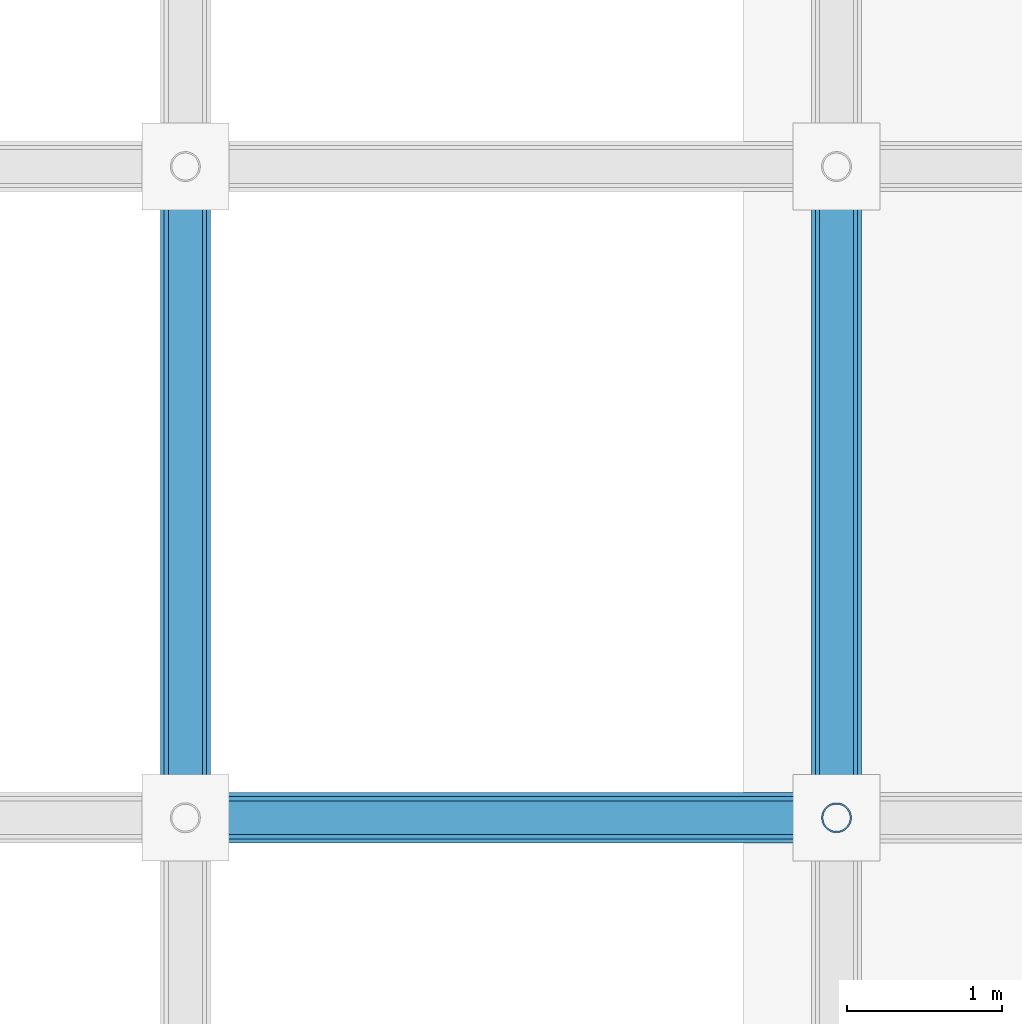
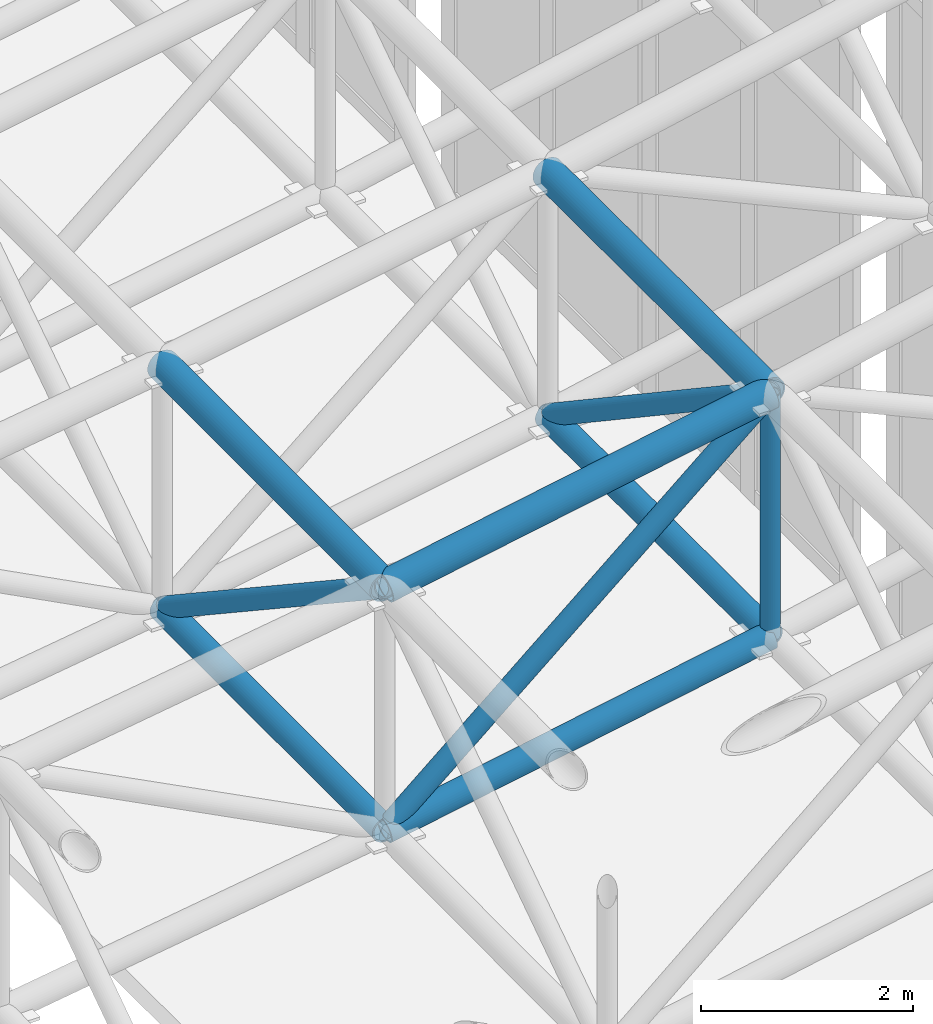
# One storey, part 21 of 93: 10 members.
"""IFC4 building model written with IfcOpenShell, lengths in metres."""

from ifc_helpers import new_model, si_unit, direction, frame, origin, origin_2d, place, context, subcontext, project, spatial, hollow_circle, extrude, material, material_profile, profile_set, type_object, element, save


model = new_model("IFC4")

# Units and contexts
model_context = context("Model", 3, precision=1e-05, world=origin(), true_north=direction((0.0, 1.0)))
body_context = subcontext(model_context, "Body", "Model", "MODEL_VIEW")
ifc_project = project(units=[si_unit("LENGTHUNIT", "METRE"), si_unit("AREAUNIT", "SQUARE_METRE"), si_unit("VOLUMEUNIT", "CUBIC_METRE"), si_unit("PLANEANGLEUNIT", "RADIAN"), si_unit("MASSUNIT", "GRAM", prefix="KILO")], contexts=[model_context])

# Site, building, storey
site_placement = place(None, origin())
site = spatial("IfcSite", under=ifc_project, at=site_placement, CompositionType="ELEMENT")
building_placement = place(site_placement, origin())
building = spatial("IfcBuilding", under=site, at=building_placement, Name="Cumbredor Promenade Congress Hotel", CompositionType="ELEMENT")
storey_placement = place(building_placement, frame((0.0, 0.0, 21.840087890625)))
storey = spatial("IfcBuildingStorey", under=building, at=storey_placement, Name="L06", CompositionType="ELEMENT", Elevation=21.840087890625)

# Members
ifc_material = material(Name="Steel ASTM A500 Grade C", Category="steel")
ifc_material_profile_1 = material_profile(ifc_material, hollow_circle(Radius=0.136474609375, WallThickness=0.01611328125, at=origin_2d()), Name="CHS 273.0x16")
ifc_profile_set_1 = profile_set([ifc_material_profile_1], Name="Steel ASTM A500 Grade C")
member_type_1 = type_object("IfcMemberType", Name="Plenary Roof Space Frame Bottom Chord", PredefinedType="CHORD", material=ifc_profile_set_1)
member_1_placement = place(storey_placement, frame((54.60009765625, 29.39990234375, 9.61669921875), z_axis=(0.983564783684, 0.0, 0.180555576753), x_axis=(0.0, 1.0, 0.0)))
element("IfcMember", 1, at=member_1_placement, inside=storey, type_object=member_type_1, Name="Plenary Congress Hall X Bottom Chord 15.8", PredefinedType="CHORD", context=body_context, shape_type="SweptSolid", body=[
    extrude(hollow_circle(Radius=0.136474609375, WallThickness=0.01611328125, at=origin_2d()), origin(), (0.0, 0.0, 1.0), 4.27001953125),
])
for number, where, z_axis, x_axis, name in (
    (2, (54.60009765625, 29.39990234375, 9.61669921875), (0.0, 0.999993918515, 0.003487539823), (-1.0, 0.0, 0.0), "Plenary Congress Hall Y Bottom Chord 15.8"),
    (3, (58.800048828125, 29.39990234375, 10.3876953125), (0.0, 0.999998160339, -0.001918155039), (-1.0, 0.0, 0.0), "Plenary Congress Hall Y Bottom Chord 16.8"),
):
    element("IfcMember", number, at=place(storey_placement, frame(where, z_axis=z_axis, x_axis=x_axis)), inside=storey, type_object=member_type_1, Name=name, PredefinedType="CHORD", context=body_context, shape_type="SweptSolid", body=[
        extrude(hollow_circle(Radius=0.136474609375, WallThickness=0.01611328125, at=origin_2d()), origin(), (0.0, 0.0, 1.0), 4.2001953125),
    ])
ifc_material_profile_2 = material_profile(ifc_material, hollow_circle(Radius=0.161865234375, WallThickness=0.01611328125, at=origin_2d()), Name="CHS 323.9x16")
ifc_profile_set_2 = profile_set([ifc_material_profile_2], Name="Steel ASTM A500 Grade C")
member_type_2 = type_object("IfcMemberType", Name="Plenary Roof Space Frame Top Chord", PredefinedType="CHORD", material=ifc_profile_set_2)
member_2_placement = place(storey_placement, frame((54.60009765625, 29.39990234375, 12.41650390625), z_axis=(0.983564783684, 0.0, 0.180555576753), x_axis=(0.0, 1.0, 0.0)))
element("IfcMember", 4, at=member_2_placement, inside=storey, type_object=member_type_2, Name="Plenary Congress Hall X Top Chord 15.8", PredefinedType="CHORD", context=body_context, shape_type="SweptSolid", body=[
    extrude(hollow_circle(Radius=0.161865234375, WallThickness=0.01611328125, at=origin_2d()), origin(), (0.0, 0.0, 1.0), 4.27001953125),
])
for number, where, z_axis, x_axis, name in (
    (5, (54.60009765625, 29.39990234375, 12.41650390625), (0.0, 0.999993714111, 0.003545664762), (-1.0, 0.0, 0.0), "Plenary Congress Hall Y Top Chord 15.8"),
    (6, (58.800048828125, 29.39990234375, 13.1875), (0.0, 0.999998270144, -0.001860029333), (-1.0, 0.0, 0.0), "Plenary Congress Hall Y Top Chord 16.8"),
):
    element("IfcMember", number, at=place(storey_placement, frame(where, z_axis=z_axis, x_axis=x_axis)), inside=storey, type_object=member_type_2, Name=name, PredefinedType="CHORD", context=body_context, shape_type="SweptSolid", body=[
        extrude(hollow_circle(Radius=0.161865234375, WallThickness=0.01611328125, at=origin_2d()), origin(), (0.0, 0.0, 1.0), 4.2001953125),
    ])
ifc_material_profile_3 = material_profile(ifc_material, hollow_circle(Radius=0.109619140625, WallThickness=0.012451171875, at=origin_2d()), Name="CHS 219.1x12.5")
ifc_profile_set_3 = profile_set([ifc_material_profile_3], Name="Steel ASTM A500 Grade C")
member_type_3 = type_object("IfcMemberType", Name="Space Frame Web Diagonal D1", PredefinedType="BRACE", material=ifc_profile_set_3)
member_3_placement = place(storey_placement, frame((54.60009765625, 29.39990234375, 9.61669921875), z_axis=(0.761863915954, 0.0, 0.647737117639), x_axis=(0.0, 1.0, 0.0)))
element("IfcMember", 7, at=member_3_placement, inside=storey, type_object=member_type_3, Name="Plenary Congress Hall X Web Diagonal 15.8", PredefinedType="BRACE", context=body_context, shape_type="SweptSolid", body=[
    extrude(hollow_circle(Radius=0.109619140625, WallThickness=0.012451171875, at=origin_2d()), origin(), (0.0, 0.0, 1.0), 5.5126953125),
])
member_4_placement = place(storey_placement, frame((54.60009765625, 29.39990234375, 12.41650390625), z_axis=(0.0, 0.833419070638, -0.552641522776), x_axis=(-1.0, 0.0, 0.0)))
element("IfcMember", 8, at=member_4_placement, inside=storey, type_object=member_type_3, Name="Plenary Congress Hall Y Web Diagonal 15.8", PredefinedType="BRACE", context=body_context, shape_type="SweptSolid", body=[
    extrude(hollow_circle(Radius=0.109619140625, WallThickness=0.012451171875, at=origin_2d()), origin(), (0.0, 0.0, 1.0), 5.039794921875),
])
member_5_placement = place(storey_placement, frame((58.800048828125, 29.39990234375, 13.1875), z_axis=(0.0, 0.83134336539, -0.55575912842), x_axis=(-1.0, 0.0, 0.0)))
element("IfcMember", 9, at=member_5_placement, inside=storey, type_object=member_type_3, Name="Plenary Congress Hall Y Web Diagonal 16.8", PredefinedType="BRACE", context=body_context, shape_type="SweptSolid", body=[
    extrude(hollow_circle(Radius=0.109619140625, WallThickness=0.012451171875, at=origin_2d()), origin(), (0.0, 0.0, 1.0), 5.05224609375),
])
ifc_material_profile_4 = material_profile(ifc_material, hollow_circle(Radius=0.096923828125, WallThickness=0.010009765625, at=origin_2d()), Name="CHS 193.7x10")
ifc_profile_set_4 = profile_set([ifc_material_profile_4], Name="Steel ASTM A500 Grade C")
member_type_4 = type_object("IfcMemberType", Name="Space Frame Web Post P1", PredefinedType="BRACE", material=ifc_profile_set_4)
member_6_placement = place(storey_placement, frame((58.800048828125, 29.39990234375, 10.3876953125), z_axis=(0.0, 0.0, 1.0), x_axis=(1.0, 0.0, 0.0)))
element("IfcMember", 10, at=member_6_placement, inside=storey, type_object=member_type_4, Name="Plenary Congress Hall Space Frame Web Post 16.8", PredefinedType="BRACE", context=body_context, shape_type="SweptSolid", body=[
    extrude(hollow_circle(Radius=0.096923828125, WallThickness=0.010009765625, at=origin_2d()), origin(), (0.0, 0.0, 1.0), 2.7998046875),
])

save(model, "model.ifc")
